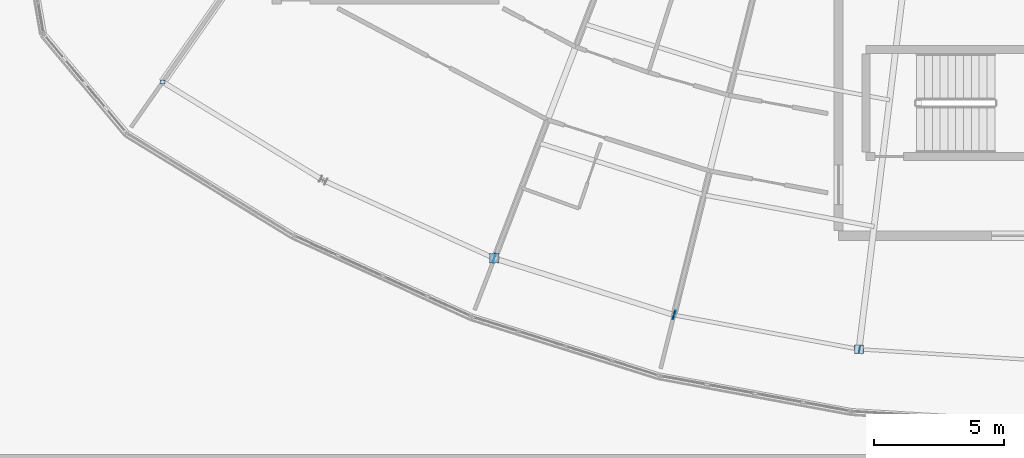
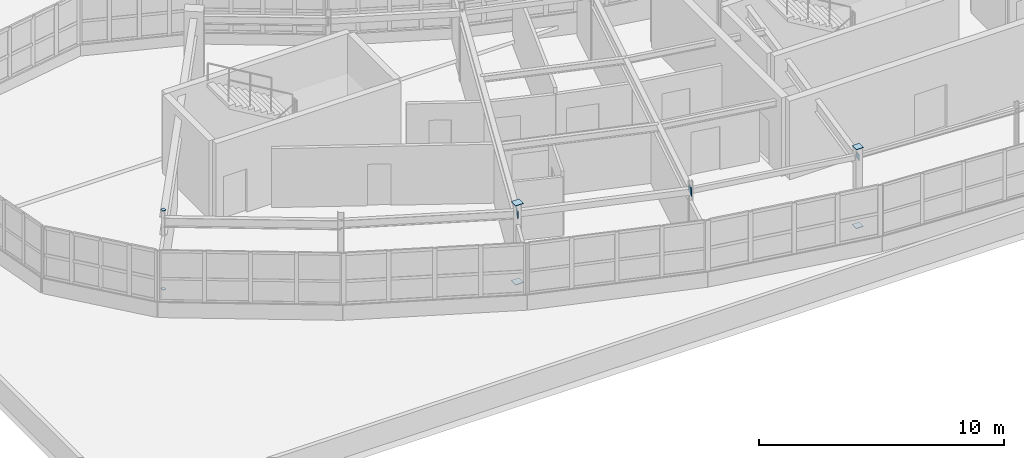
# One storey, part 83 of 128: 10 plates.
"""IFC4 building model written with IfcOpenShell, lengths in metres."""

from ifc_helpers import new_model, si_unit, direction, frame, origin, origin_2d, place, context, subcontext, project, spatial, rectangle, extrude, material, layer, layer_set, type_object, element, save


model = new_model("IFC4")

# Units and contexts
model_context = context("Model", 3, precision=1e-05, world=origin(), true_north=direction((0.0, 1.0)))
body_context = subcontext(model_context, "Body", "Model", "MODEL_VIEW")
ifc_project = project(units=[si_unit("LENGTHUNIT", "METRE"), si_unit("AREAUNIT", "SQUARE_METRE"), si_unit("VOLUMEUNIT", "CUBIC_METRE"), si_unit("PLANEANGLEUNIT", "RADIAN"), si_unit("MASSUNIT", "GRAM", prefix="KILO")], contexts=[model_context])

# Site, building, storey
site_placement = place(None, origin())
site = spatial("IfcSite", under=ifc_project, at=site_placement, CompositionType="ELEMENT")
building_placement = place(site_placement, origin())
building = spatial("IfcBuilding", under=site, at=building_placement, Name="Tarnwether General Hospital", CompositionType="ELEMENT")
storey_placement = place(building_placement, frame((0.0, 0.0, 14.39990234375)))
storey = spatial("IfcBuildingStorey", under=building, at=storey_placement, Name="L03", CompositionType="ELEMENT", Elevation=14.39990234375)

# Plates
ifc_material = material(Name="Steel Grade 350 (350 MPa)", Category="steel")
ifc_layer = layer(ifc_material, 0.02490234375)
ifc_layer_set = layer_set([ifc_layer], Name="Steel Grade 350 (350 MPa)")
plate_type = type_object("IfcPlateType", Name="PT-GUS2", PredefinedType="USERDEFINED", material=ifc_layer_set)
for number, where, z_axis, x_axis, name in (
    (1, (58.0439453125, 14.506103515625, -0.02490234375), (0.0, 0.0, 1.0), (1.0, 0.0, 0.0), "Hollow Section Welded End Cap Plate 0617"),
    (2, (58.0439453125, 14.506103515625, 3.900146484375), (0.0, 0.0, 1.0), (1.0, 0.0, 0.0), "Hollow Section Welded End Cap Plate 0618"),
):
    element("IfcPlate", number, at=place(storey_placement, frame(where, z_axis=z_axis, x_axis=x_axis)), inside=storey, type_object=plate_type, Name=name, ObjectType="GUSSET", PredefinedType="USERDEFINED", context=body_context, shape_type="SweptSolid", body=[
        extrude(rectangle(XDim=0.1650390625, YDim=0.1650390625, at=origin_2d()), origin(), (0.0, 0.0, 1.0), 0.02490234375),
    ])
for number, where, z_axis, x_axis, name in (
    (3, (70.784912109375, 7.73193359375, -0.02490234375), (0.0, 0.0, 1.0), (1.0, 0.0, 0.0), "Hollow Section Welded End Cap Plate 0639"),
    (4, (70.784912109375, 7.73193359375, 3.900146484375), (0.0, 0.0, 1.0), (1.0, 0.0, 0.0), "Hollow Section Welded End Cap Plate 0640"),
):
    element("IfcPlate", number, at=place(storey_placement, frame(where, z_axis=z_axis, x_axis=x_axis)), inside=storey, type_object=plate_type, Name=name, ObjectType="GUSSET", PredefinedType="USERDEFINED", context=body_context, shape_type="SweptSolid", body=[
        extrude(rectangle(XDim=0.364013671875, YDim=0.364013671875, at=origin_2d()), origin(), (0.0, 0.0, 1.0), 0.02490234375),
    ])
for number, where, z_axis, x_axis, name in (
    (5, (84.784912109375, 4.240966796875, -0.02490234375), (0.0, 0.0, 1.0), (1.0, 0.0, 0.0), "Hollow Section Welded End Cap Plate 0665"),
    (6, (84.784912109375, 4.240966796875, 3.900146484375), (0.0, 0.0, 1.0), (1.0, 0.0, 0.0), "Hollow Section Welded End Cap Plate 0666"),
):
    element("IfcPlate", number, at=place(storey_placement, frame(where, z_axis=z_axis, x_axis=x_axis)), inside=storey, type_object=plate_type, Name=name, ObjectType="GUSSET", PredefinedType="USERDEFINED", context=body_context, shape_type="SweptSolid", body=[
        extrude(rectangle(XDim=0.340087890625, YDim=0.340087890625, at=origin_2d()), origin(), (0.0, 0.0, 1.0), 0.02490234375),
    ])
for number, where, z_axis, x_axis, name in (
    (7, (70.773193359375, 7.73583984375, 3.240234375), (0.0, 0.0, 1.0), (0.953690705585, -0.300789025864, 0.0), "Hollow Section Welded End Cap Plate 1109"),
    (8, (77.68994140625, 5.55419921875, 3.240234375), (0.0, 0.0, 1.0), (0.953690705585, -0.300789025864, 0.0), "Hollow Section Welded End Cap Plate 1110"),
):
    element("IfcPlate", number, at=place(storey_placement, frame(where, z_axis=z_axis, x_axis=x_axis)), inside=storey, type_object=plate_type, Name=name, ObjectType="GUSSET", PredefinedType="USERDEFINED", context=body_context, shape_type="SweptSolid", body=[
        extrude(rectangle(XDim=0.02490234375, YDim=0.340087890625, at=origin_2d()), origin(), (0.0, 0.0, 1.0), 0.340087890625),
    ])
for number, where, z_axis, x_axis, name in (
    (9, (77.665771484375, 5.560302734375, 3.2900390625), (0.0, 0.0, 1.0), (0.983261268185, -0.18220120331, 0.0), "Hollow Section Welded End Cap Plate 1113"),
    (10, (84.79736328125, 4.23876953125, 3.2900390625), (0.0, 0.0, 1.0), (0.983261268185, -0.18220120331, 0.0), "Hollow Section Welded End Cap Plate 1114"),
):
    element("IfcPlate", number, at=place(storey_placement, frame(where, z_axis=z_axis, x_axis=x_axis)), inside=storey, type_object=plate_type, Name=name, ObjectType="GUSSET", PredefinedType="USERDEFINED", context=body_context, shape_type="SweptSolid", body=[
        extrude(rectangle(XDim=0.02490234375, YDim=0.2900390625, at=origin_2d()), origin(), (0.0, 0.0, 1.0), 0.2900390625),
    ])

save(model, "model.ifc")
